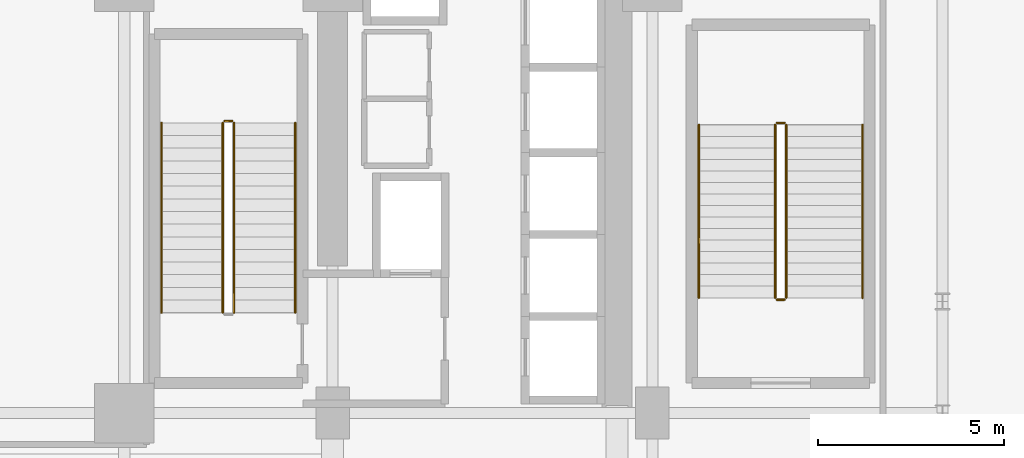
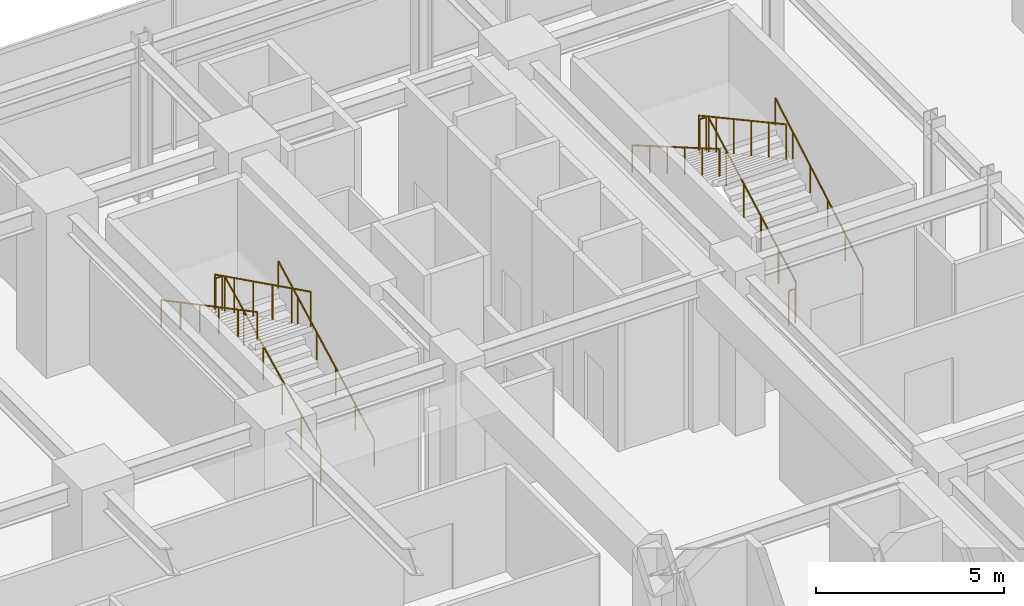
# One storey, part 32 of 32: 11 railings.
"""IFC4 building model written with IfcOpenShell, lengths in metres."""

from ifc_helpers import new_model, si_unit, direction, frame, origin, origin_2d, place, context, subcontext, project, spatial, circle, extrude, material, type_object, element, save


model = new_model("IFC4")

# Units and contexts
model_context = context("Model", 3, precision=1e-05, world=origin(), true_north=direction((0.0, 1.0)))
body_context = subcontext(model_context, "Body", "Model", "MODEL_VIEW")
ifc_project = project(units=[si_unit("LENGTHUNIT", "METRE"), si_unit("AREAUNIT", "SQUARE_METRE"), si_unit("VOLUMEUNIT", "CUBIC_METRE"), si_unit("PLANEANGLEUNIT", "RADIAN"), si_unit("MASSUNIT", "GRAM", prefix="KILO")], contexts=[model_context])

# Site, building, storey
site_placement = place(None, origin())
site = spatial("IfcSite", under=ifc_project, at=site_placement, CompositionType="ELEMENT")
building_placement = place(site_placement, origin())
building = spatial("IfcBuilding", under=site, at=building_placement, Name="Nahalor Promenade Grand Hotel", CompositionType="ELEMENT")
storey_placement = place(building_placement, frame((0.0, 0.0, 10.800048828125)))
storey = spatial("IfcBuildingStorey", under=building, at=storey_placement, Name="L02", CompositionType="ELEMENT", Elevation=10.800048828125)

# Railings
ifc_material = material(Name="Steel S355JR", Category="steel")
railing_type_1 = type_object("IfcRailingType", Name="Steel Stair Guardrail 1150 mm", PredefinedType="GUARDRAIL", material=ifc_material)
railing_1_placement = place(storey_placement, frame((5.75, 8.10009765625, 0.168701171875)))
element("IfcRailing", 1, at=railing_1_placement, inside=storey, type_object=railing_type_1, Name="L02 ST1 stair guard 1", PredefinedType="GUARDRAIL", context=body_context, shape_type="SweptSolid", body=[
    extrude(circle(Radius=0.024048, at=origin_2d()), frame((0.0, 0.0, 1.1259765625), z_axis=(0.0, 0.895735491292, 0.444587370086), x_axis=(-1.0, 0.0, 0.0)), (0.0, 0.0, 1.0), 5.693603515625),
    extrude(circle(Radius=0.020996, at=origin_2d()), origin(), (0.0, 0.0, 1.0), 1.099853515625),
    extrude(circle(Radius=0.020996, at=origin_2d()), frame((0.0, 1.02001953125, 0.50634765625)), (0.0, 0.0, 1.0), 1.099853515625),
    extrude(circle(Radius=0.020996, at=origin_2d()), frame((0.0, 2.0400390625, 1.012451171875)), (0.0, 0.0, 1.0), 1.099853515625),
    extrude(circle(Radius=0.020996, at=origin_2d()), frame((0.0, 3.059814453125, 1.518798828125)), (0.0, 0.0, 1.0), 1.099853515625),
    extrude(circle(Radius=0.020996, at=origin_2d()), frame((0.0, 4.079833984375, 2.02490234375)), (0.0, 0.0, 1.0), 1.099853515625),
    extrude(circle(Radius=0.020996, at=origin_2d()), frame((0.0, 5.099853515625, 2.53125)), (0.0, 0.0, 1.0), 1.099853515625),
])
railing_2_placement = place(storey_placement, frame((5.699951171875, 13.25, 2.699951171875)))
element("IfcRailing", 2, at=railing_2_placement, inside=storey, type_object=railing_type_1, Name="L02 ST1 stair guard 2", PredefinedType="GUARDRAIL", context=body_context, shape_type="SweptSolid", body=[
    extrude(circle(Radius=0.024048, at=origin_2d()), frame((0.0, 0.0, 1.1259765625), z_axis=(-1.0, 0.0, 0.0), x_axis=(0.0, -1.0, 0.0)), (0.0, 0.0, 1.0), 0.199951171875),
    extrude(circle(Radius=0.020996, at=origin_2d()), origin(), (0.0, 0.0, 1.0), 1.099853515625),
    extrude(circle(Radius=0.020996, at=origin_2d()), frame((-0.199951171875, 0.0, 0.0)), (0.0, 0.0, 1.0), 1.099853515625),
])
railing_3_placement = place(storey_placement, frame((5.449951171875, 13.199951171875, 2.86865234375)))
element("IfcRailing", 3, at=railing_3_placement, inside=storey, type_object=railing_type_1, Name="L02 ST1 stair guard 3", PredefinedType="GUARDRAIL", context=body_context, shape_type="SweptSolid", body=[
    extrude(circle(Radius=0.024048, at=origin_2d()), frame((0.0, 0.0, 1.1259765625), z_axis=(0.0, -0.895735491292, 0.444587370086), x_axis=(1.0, 0.0, 0.0)), (0.0, 0.0, 1.0), 5.693603515625),
    extrude(circle(Radius=0.020996, at=origin_2d()), origin(), (0.0, 0.0, 1.0), 1.099853515625),
    extrude(circle(Radius=0.020996, at=origin_2d()), frame((0.0, -1.02001953125, 0.50634765625)), (0.0, 0.0, 1.0), 1.099853515625),
    extrude(circle(Radius=0.020996, at=origin_2d()), frame((0.0, -2.0400390625, 1.012451171875)), (0.0, 0.0, 1.0), 1.099853515625),
    extrude(circle(Radius=0.020996, at=origin_2d()), frame((0.0, -3.059814453125, 1.518798828125)), (0.0, 0.0, 1.0), 1.099853515625),
    extrude(circle(Radius=0.020996, at=origin_2d()), frame((0.0, -4.079833984375, 2.02490234375)), (0.0, 0.0, 1.0), 1.099853515625),
    extrude(circle(Radius=0.020996, at=origin_2d()), frame((0.0, -5.099853515625, 2.53125)), (0.0, 0.0, 1.0), 1.099853515625),
])
railing_4_placement = place(storey_placement, frame((20.60009765625, 8.5, 0.168701171875)))
element("IfcRailing", 4, at=railing_4_placement, inside=storey, type_object=railing_type_1, Name="L02 ST4 stair guard 1", PredefinedType="GUARDRAIL", context=body_context, shape_type="SweptSolid", body=[
    extrude(circle(Radius=0.024048, at=origin_2d()), frame((0.0, 0.0, 1.1259765625), z_axis=(0.0, 0.878297076953, 0.478115304728), x_axis=(-1.0, 0.0, 0.0)), (0.0, 0.0, 1.0), 5.294189453125),
    extrude(circle(Radius=0.020996, at=origin_2d()), origin(), (0.0, 0.0, 1.0), 1.099853515625),
    extrude(circle(Radius=0.020996, at=origin_2d()), frame((0.0, 0.929931640625, 0.50634765625)), (0.0, 0.0, 1.0), 1.099853515625),
    extrude(circle(Radius=0.020996, at=origin_2d()), frame((0.0, 1.85986328125, 1.012451171875)), (0.0, 0.0, 1.0), 1.099853515625),
    extrude(circle(Radius=0.020996, at=origin_2d()), frame((0.0, 2.7900390625, 1.518798828125)), (0.0, 0.0, 1.0), 1.099853515625),
    extrude(circle(Radius=0.020996, at=origin_2d()), frame((0.0, 3.719970703125, 2.02490234375)), (0.0, 0.0, 1.0), 1.099853515625),
    extrude(circle(Radius=0.020996, at=origin_2d()), frame((0.0, 4.64990234375, 2.53125)), (0.0, 0.0, 1.0), 1.099853515625),
])
railing_5_placement = place(storey_placement, frame((20.550048828125, 13.199951171875, 2.699951171875)))
element("IfcRailing", 5, at=railing_5_placement, inside=storey, type_object=railing_type_1, Name="L02 ST4 stair guard 2", PredefinedType="GUARDRAIL", context=body_context, shape_type="SweptSolid", body=[
    extrude(circle(Radius=0.024048, at=origin_2d()), frame((0.0, 0.0, 1.1259765625), z_axis=(-1.0, 0.0, 0.0), x_axis=(0.0, -1.0, 0.0)), (0.0, 0.0, 1.0), 0.199951171875),
    extrude(circle(Radius=0.020996, at=origin_2d()), origin(), (0.0, 0.0, 1.0), 1.099853515625),
    extrude(circle(Radius=0.020996, at=origin_2d()), frame((-0.199951171875, 0.0, 0.0)), (0.0, 0.0, 1.0), 1.099853515625),
])
railing_6_placement = place(storey_placement, frame((20.300048828125, 13.14990234375, 2.86865234375)))
element("IfcRailing", 6, at=railing_6_placement, inside=storey, type_object=railing_type_1, Name="L02 ST4 stair guard 3", PredefinedType="GUARDRAIL", context=body_context, shape_type="SweptSolid", body=[
    extrude(circle(Radius=0.024048, at=origin_2d()), frame((0.0, 0.0, 1.1259765625), z_axis=(0.0, -0.878297076953, 0.478115304728), x_axis=(1.0, 0.0, 0.0)), (0.0, 0.0, 1.0), 5.294189453125),
    extrude(circle(Radius=0.020996, at=origin_2d()), origin(), (0.0, 0.0, 1.0), 1.099853515625),
    extrude(circle(Radius=0.020996, at=origin_2d()), frame((0.0, -0.929931640625, 0.50634765625)), (0.0, 0.0, 1.0), 1.099853515625),
    extrude(circle(Radius=0.020996, at=origin_2d()), frame((0.0, -1.85986328125, 1.012451171875)), (0.0, 0.0, 1.0), 1.099853515625),
    extrude(circle(Radius=0.020996, at=origin_2d()), frame((0.0, -2.7900390625, 1.518798828125)), (0.0, 0.0, 1.0), 1.099853515625),
    extrude(circle(Radius=0.020996, at=origin_2d()), frame((0.0, -3.719970703125, 2.02490234375)), (0.0, 0.0, 1.0), 1.099853515625),
    extrude(circle(Radius=0.020996, at=origin_2d()), frame((0.0, -4.64990234375, 2.53125)), (0.0, 0.0, 1.0), 1.099853515625),
])
railing_7_placement = place(storey_placement, frame((20.550048828125, 8.449951171875, 0.0)))
element("IfcRailing", 7, at=railing_7_placement, inside=storey, type_object=railing_type_1, Name="L02 ST4 stair guard 4", PredefinedType="GUARDRAIL", context=body_context, shape_type="SweptSolid", body=[
    extrude(circle(Radius=0.024048, at=origin_2d()), frame((0.0, 0.0, 1.1259765625), z_axis=(-1.0, 0.0, 0.0), x_axis=(0.0, -1.0, 0.0)), (0.0, 0.0, 1.0), 0.199951171875),
    extrude(circle(Radius=0.020996, at=origin_2d()), origin(), (0.0, 0.0, 1.0), 1.099853515625),
    extrude(circle(Radius=0.020996, at=origin_2d()), frame((-0.199951171875, 0.0, 0.0)), (0.0, 0.0, 1.0), 1.099853515625),
])
railing_type_2 = type_object("IfcRailingType", Name="Steel Stair Handrail 900 mm", PredefinedType="HANDRAIL", material=ifc_material)
railing_8_placement = place(storey_placement, frame((7.39990234375, 8.10009765625, 0.168701171875)))
element("IfcRailing", 8, at=railing_8_placement, inside=storey, type_object=railing_type_2, Name="L02 ST1 stair handrail 1", PredefinedType="HANDRAIL", context=body_context, shape_type="SweptSolid", body=[
    extrude(circle(Radius=0.024048, at=origin_2d()), frame((0.0, 0.0, 0.8759765625), z_axis=(0.0, 0.883785858079, 0.467891608238), x_axis=(-1.0, 0.0, 0.0)), (0.0, 0.0, 1.0), 5.7705078125),
    extrude(circle(Radius=0.020996, at=origin_2d()), origin(), (0.0, 0.0, 1.0), 0.849853515625),
    extrude(circle(Radius=0.020996, at=origin_2d()), frame((0.0, 1.02001953125, 0.5400390625)), (0.0, 0.0, 1.0), 0.849853515625),
    extrude(circle(Radius=0.020996, at=origin_2d()), frame((0.0, 2.0400390625, 1.080078125)), (0.0, 0.0, 1.0), 0.849853515625),
    extrude(circle(Radius=0.020996, at=origin_2d()), frame((0.0, 3.059814453125, 1.619873046875)), (0.0, 0.0, 1.0), 0.849853515625),
    extrude(circle(Radius=0.020996, at=origin_2d()), frame((0.0, 4.079833984375, 2.159912109375)), (0.0, 0.0, 1.0), 0.849853515625),
    extrude(circle(Radius=0.020996, at=origin_2d()), frame((0.0, 5.099853515625, 2.699951171875)), (0.0, 0.0, 1.0), 0.849853515625),
])
railing_9_placement = place(storey_placement, frame((3.800048828125, 13.199951171875, 2.86865234375)))
element("IfcRailing", 9, at=railing_9_placement, inside=storey, type_object=railing_type_2, Name="L02 ST1 stair handrail 2", PredefinedType="HANDRAIL", context=body_context, shape_type="SweptSolid", body=[
    extrude(circle(Radius=0.024048, at=origin_2d()), frame((0.0, 0.0, 0.8759765625), z_axis=(0.0, -0.883785858079, 0.467891608238), x_axis=(1.0, 0.0, 0.0)), (0.0, 0.0, 1.0), 5.7705078125),
    extrude(circle(Radius=0.020996, at=origin_2d()), origin(), (0.0, 0.0, 1.0), 0.849853515625),
    extrude(circle(Radius=0.020996, at=origin_2d()), frame((0.0, -1.02001953125, 0.5400390625)), (0.0, 0.0, 1.0), 0.849853515625),
    extrude(circle(Radius=0.020996, at=origin_2d()), frame((0.0, -2.0400390625, 1.080078125)), (0.0, 0.0, 1.0), 0.849853515625),
    extrude(circle(Radius=0.020996, at=origin_2d()), frame((0.0, -3.059814453125, 1.619873046875)), (0.0, 0.0, 1.0), 0.849853515625),
    extrude(circle(Radius=0.020996, at=origin_2d()), frame((0.0, -4.079833984375, 2.159912109375)), (0.0, 0.0, 1.0), 0.849853515625),
    extrude(circle(Radius=0.020996, at=origin_2d()), frame((0.0, -5.099853515625, 2.699951171875)), (0.0, 0.0, 1.0), 0.849853515625),
])
railing_10_placement = place(storey_placement, frame((22.64990234375, 8.5, 0.168701171875)))
element("IfcRailing", 10, at=railing_10_placement, inside=storey, type_object=railing_type_2, Name="L02 ST4 stair handrail 1", PredefinedType="HANDRAIL", context=body_context, shape_type="SweptSolid", body=[
    extrude(circle(Radius=0.024048, at=origin_2d()), frame((0.0, 0.0, 0.8759765625), z_axis=(0.0, 0.864788310583, 0.502136612766), x_axis=(-1.0, 0.0, 0.0)), (0.0, 0.0, 1.0), 5.376953125),
    extrude(circle(Radius=0.020996, at=origin_2d()), origin(), (0.0, 0.0, 1.0), 0.849853515625),
    extrude(circle(Radius=0.020996, at=origin_2d()), frame((0.0, 0.929931640625, 0.5400390625)), (0.0, 0.0, 1.0), 0.849853515625),
    extrude(circle(Radius=0.020996, at=origin_2d()), frame((0.0, 1.85986328125, 1.080078125)), (0.0, 0.0, 1.0), 0.849853515625),
    extrude(circle(Radius=0.020996, at=origin_2d()), frame((0.0, 2.7900390625, 1.619873046875)), (0.0, 0.0, 1.0), 0.849853515625),
    extrude(circle(Radius=0.020996, at=origin_2d()), frame((0.0, 3.719970703125, 2.159912109375)), (0.0, 0.0, 1.0), 0.849853515625),
    extrude(circle(Radius=0.020996, at=origin_2d()), frame((0.0, 4.64990234375, 2.699951171875)), (0.0, 0.0, 1.0), 0.849853515625),
])
railing_11_placement = place(storey_placement, frame((18.25, 13.14990234375, 2.86865234375)))
element("IfcRailing", 11, at=railing_11_placement, inside=storey, type_object=railing_type_2, Name="L02 ST4 stair handrail 2", PredefinedType="HANDRAIL", context=body_context, shape_type="SweptSolid", body=[
    extrude(circle(Radius=0.024048, at=origin_2d()), frame((0.0, 0.0, 0.8759765625), z_axis=(0.0, -0.864788310583, 0.502136612766), x_axis=(1.0, 0.0, 0.0)), (0.0, 0.0, 1.0), 5.376953125),
    extrude(circle(Radius=0.020996, at=origin_2d()), origin(), (0.0, 0.0, 1.0), 0.849853515625),
    extrude(circle(Radius=0.020996, at=origin_2d()), frame((0.0, -0.929931640625, 0.5400390625)), (0.0, 0.0, 1.0), 0.849853515625),
    extrude(circle(Radius=0.020996, at=origin_2d()), frame((0.0, -1.85986328125, 1.080078125)), (0.0, 0.0, 1.0), 0.849853515625),
    extrude(circle(Radius=0.020996, at=origin_2d()), frame((0.0, -2.7900390625, 1.619873046875)), (0.0, 0.0, 1.0), 0.849853515625),
    extrude(circle(Radius=0.020996, at=origin_2d()), frame((0.0, -3.719970703125, 2.159912109375)), (0.0, 0.0, 1.0), 0.849853515625),
    extrude(circle(Radius=0.020996, at=origin_2d()), frame((0.0, -4.64990234375, 2.699951171875)), (0.0, 0.0, 1.0), 0.849853515625),
])

save(model, "model.ifc")
